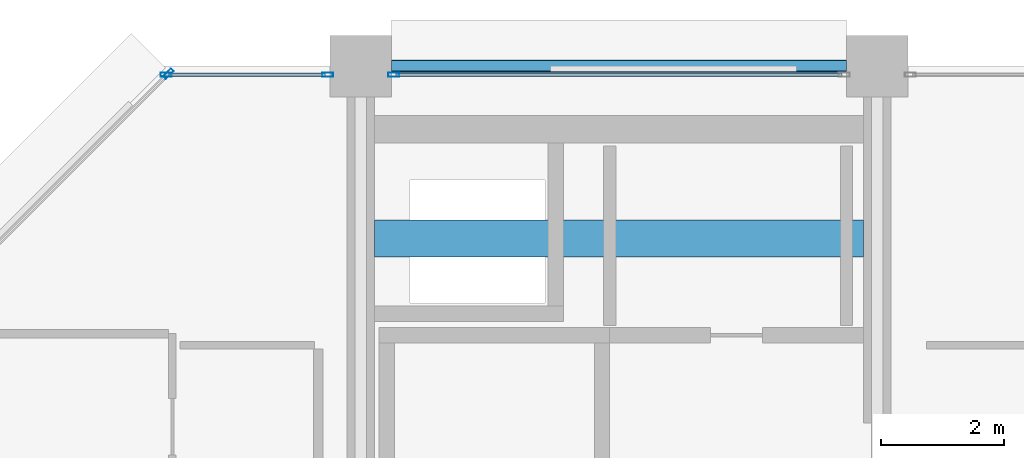
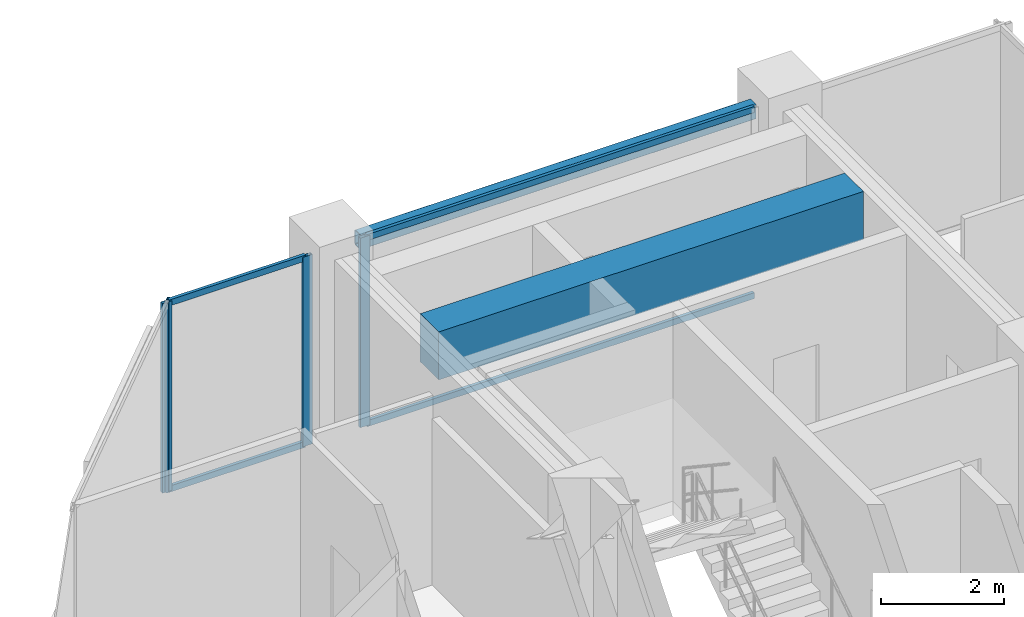
# One storey, part 17 of 26: 8 members, 2 beams, 3 elements without a shape of their own.
"""IFC4 building model written with IfcOpenShell, lengths in metres."""

from ifc_helpers import new_model, si_unit, direction, frame, origin, origin_2d, place, context, subcontext, project, spatial, rectangle, hollow_rectangle, extrude, material, layer, layer_set, material_profile, profile_set, type_object, element, aggregate, save


model = new_model("IFC4")

# Units and contexts
model_context = context("Model", 3, precision=1e-05, world=origin(), true_north=direction((0.0, 1.0)))
body_context = subcontext(model_context, "Body", "Model", "MODEL_VIEW")
ifc_project = project(units=[si_unit("LENGTHUNIT", "METRE"), si_unit("AREAUNIT", "SQUARE_METRE"), si_unit("VOLUMEUNIT", "CUBIC_METRE"), si_unit("PLANEANGLEUNIT", "RADIAN"), si_unit("MASSUNIT", "GRAM", prefix="KILO")], contexts=[model_context])

# Site, building, storey
site_placement = place(None, origin())
site = spatial("IfcSite", under=ifc_project, at=site_placement, CompositionType="ELEMENT")
building_placement = place(site_placement, origin())
building = spatial("IfcBuilding", under=site, at=building_placement, Name="Nerrivon Quay Data Exchange", CompositionType="ELEMENT")
storey_placement = place(building_placement, frame((0.0, 0.0, 241.10009765625)))
storey = spatial("IfcBuildingStorey", under=building, at=storey_placement, Name="L57", CompositionType="ELEMENT", Elevation=241.10009765625)

# Beams
ifc_material_1 = material(Name="Concrete N50 (50 MPa)", Category="concrete")
ifc_material_profile_1 = material_profile(ifc_material_1, rectangle(XDim=0.60009765625, YDim=0.949951171875, at=origin_2d()), Name="RC-CB-600x950")
ifc_profile_set_1 = profile_set([ifc_material_profile_1], Name="Concrete N50 (50 MPa)")
beam_type_1 = type_object("IfcBeamType", Name="BM-CB2-600x950", PredefinedType="LINTEL", material=ifc_profile_set_1)
beam_1_placement = place(storey_placement, frame((8.625, 39.199951171875, 3.27490234375), z_axis=(1.0, 0.0, 0.0), x_axis=(0.0, 1.0, 0.0)))
element("IfcBeam", 1, at=beam_1_placement, inside=storey, type_object=beam_type_1, Name="L57 West Core Coupling Beam", PredefinedType="LINTEL", context=body_context, shape_type="SweptSolid", body=[
    extrude(rectangle(XDim=0.60009765625, YDim=0.949951171875, at=origin_2d()), origin(), (0.0, 0.0, 1.0), 7.949951171875),
])
ifc_material_2 = material(Name="Steel Grade C350L0 (350 MPa)", Category="steel")
ifc_material_profile_2 = material_profile(ifc_material_2, hollow_rectangle(XDim=0.199951171875, YDim=0.300048828125, WallThickness=0.012451171875, InnerFilletRadius=0.018798828125, OuterFilletRadius=0.03125, at=origin_2d()), Name="300x200x12.5RHS")
ifc_profile_set_2 = profile_set([ifc_material_profile_2], Name="Steel Grade C350L0 (350 MPa)")
beam_type_2 = type_object("IfcBeamType", Name="BM-SP3-300x200RHS", PredefinedType="SPANDREL", material=ifc_profile_set_2)
beam_2_placement = place(storey_placement, frame((8.89990234375, 42.0, 3.599853515625), z_axis=(1.0, 0.0, 0.0), x_axis=(0.0, 1.0, 0.0)))
element("IfcBeam", 2, at=beam_2_placement, inside=storey, type_object=beam_type_2, Name="L57 EW Girder Y=42.0 (8.4..16.8)", PredefinedType="SPANDREL", context=body_context, shape_type="SweptSolid", body=[
    extrude(hollow_rectangle(XDim=0.199951171875, YDim=0.300048828125, WallThickness=0.012451171875, InnerFilletRadius=0.018798828125, OuterFilletRadius=0.03125, at=origin_2d()), origin(), (0.0, 0.0, 1.0), 7.400146484375),
])

# Curtain wall, member
ifc_material_3 = material(Name="Anodised aluminium 6063-T6", Category="aluminium")
ifc_layer = layer(ifc_material_3, 0.195068359375)
ifc_layer_set = layer_set([ifc_layer], Name="Anodised aluminium 6063-T6")
curtain_wall_type = type_object("IfcCurtainWallType", Name="CW-SYS-06", PredefinedType="NOTDEFINED", material=ifc_layer_set)
curtain_wall_1_placement = place(storey_placement, origin())
curtain_wall_1 = element("IfcCurtainWall", 3, at=curtain_wall_1_placement, inside=storey, type_object=curtain_wall_type, Name="L57 Unitised Curtain Wall 16", PredefinedType="NOTDEFINED")
ifc_material_profile_3 = material_profile(ifc_material_3, hollow_rectangle(XDim=0.06494140625, YDim=0.179931640625, WallThickness=0.00341796875, at=origin_2d()), Name="ALU-MULL-180x65")
ifc_profile_set_3 = profile_set([ifc_material_profile_3], Name="Anodised aluminium 6063-T6")
member_type_1 = type_object("IfcMemberType", Name="CWM-180x65", PredefinedType="MULLION", material=ifc_profile_set_3)
member_1_placement = place(storey_placement, frame((5.2724609375, 41.87451171875, 0.0), z_axis=(0.0, 0.0, 1.0), x_axis=(-0.707106781187, 0.707106781187, 0.0)))
member_1 = element("IfcMember", 4, at=member_1_placement, type_object=member_type_1, Name="CW06 mullion 2", PredefinedType="MULLION", context=body_context, shape_type="SweptSolid", body=[
    extrude(hollow_rectangle(XDim=0.06494140625, YDim=0.179931640625, WallThickness=0.00341796875, at=origin_2d()), origin(), (0.0, 0.0, 1.0), 3.75),
])
aggregate(curtain_wall_1, [member_1])

# Curtain wall, members
curtain_wall_2_placement = place(storey_placement, origin())
curtain_wall_2 = element("IfcCurtainWall", 5, at=curtain_wall_2_placement, inside=storey, type_object=curtain_wall_type, Name="L57 Unitised Curtain Wall 17", PredefinedType="NOTDEFINED")
member_2_placement = place(storey_placement, frame((5.237548828125, 41.860107421875, 0.0), z_axis=(0.0, 0.0, 1.0), x_axis=(0.0, 1.0, 0.0)))
member_2 = element("IfcMember", 6, at=member_2_placement, type_object=member_type_1, Name="CW06 mullion 1", PredefinedType="MULLION", context=body_context, shape_type="SweptSolid", body=[
    extrude(hollow_rectangle(XDim=0.06494140625, YDim=0.179931640625, WallThickness=0.00341796875, at=origin_2d()), origin(), (0.0, 0.0, 1.0), 3.75),
])
member_3_placement = place(storey_placement, frame((7.862548828125, 41.860107421875, 0.0), z_axis=(0.0, 0.0, 1.0), x_axis=(0.0, 1.0, 0.0)))
member_3 = element("IfcMember", 7, at=member_3_placement, type_object=member_type_1, Name="CW06 mullion 2", PredefinedType="MULLION", context=body_context, shape_type="SweptSolid", body=[
    extrude(hollow_rectangle(XDim=0.06494140625, YDim=0.179931640625, WallThickness=0.00341796875, at=origin_2d()), origin(), (0.0, 0.0, 1.0), 3.75),
])

# Curtain wall, member
curtain_wall_3_placement = place(storey_placement, origin())
curtain_wall_3 = element("IfcCurtainWall", 8, at=curtain_wall_3_placement, inside=storey, type_object=curtain_wall_type, Name="L57 Unitised Curtain Wall 18", PredefinedType="NOTDEFINED")
member_4_placement = place(storey_placement, frame((8.9375, 41.860107421875, 0.0), z_axis=(0.0, 0.0, 1.0), x_axis=(0.0, 1.0, 0.0)))
member_4 = element("IfcMember", 9, at=member_4_placement, type_object=member_type_1, Name="CW06 mullion 1", PredefinedType="MULLION", context=body_context, shape_type="SweptSolid", body=[
    extrude(hollow_rectangle(XDim=0.06494140625, YDim=0.179931640625, WallThickness=0.00341796875, at=origin_2d()), origin(), (0.0, 0.0, 1.0), 3.75),
])

# Member
ifc_material_profile_4 = material_profile(ifc_material_3, hollow_rectangle(XDim=0.06005859375, YDim=0.1201171875, WallThickness=0.003173828125, at=origin_2d()), Name="ALU-TRAN-120x60")
ifc_profile_set_4 = profile_set([ifc_material_profile_4], Name="Anodised aluminium 6063-T6")
member_type_2 = type_object("IfcMemberType", Name="CWT-120x60", PredefinedType="USERDEFINED", material=ifc_profile_set_4)
member_5_placement = place(storey_placement, frame((5.27490234375, 41.860107421875, 0.032470703125), z_axis=(1.0, 0.0, 0.0), x_axis=(0.0, 1.0, 0.0)))
member_5 = element("IfcMember", 10, at=member_5_placement, type_object=member_type_2, Name="CW06 transom 1.1", ObjectType="TRANSOM", PredefinedType="USERDEFINED", context=body_context, shape_type="SweptSolid", body=[
    extrude(hollow_rectangle(XDim=0.06005859375, YDim=0.1201171875, WallThickness=0.003173828125, at=origin_2d()), origin(), (0.0, 0.0, 1.0), 2.550048828125),
])

member_6_placement = place(storey_placement, frame((5.27490234375, 41.860107421875, 3.71728515625), z_axis=(1.0, 0.0, 0.0), x_axis=(0.0, 1.0, 0.0)))
member_6 = element("IfcMember", 11, at=member_6_placement, type_object=member_type_2, Name="CW06 transom 1.2", ObjectType="TRANSOM", PredefinedType="USERDEFINED", context=body_context, shape_type="SweptSolid", body=[
    extrude(hollow_rectangle(XDim=0.06005859375, YDim=0.1201171875, WallThickness=0.003173828125, at=origin_2d()), origin(), (0.0, 0.0, 1.0), 2.550048828125),
])

aggregate(curtain_wall_2, [member_2, member_3, member_5, member_6])

member_7_placement = place(storey_placement, frame((8.97509765625, 41.860107421875, 0.032470703125), z_axis=(1.0, 0.0, 0.0), x_axis=(0.0, 1.0, 0.0)))
member_7 = element("IfcMember", 12, at=member_7_placement, type_object=member_type_2, Name="CW06 transom 1.1", ObjectType="TRANSOM", PredefinedType="USERDEFINED", context=body_context, shape_type="SweptSolid", body=[
    extrude(hollow_rectangle(XDim=0.06005859375, YDim=0.1201171875, WallThickness=0.003173828125, at=origin_2d()), origin(), (0.0, 0.0, 1.0), 7.25),
])

member_8_placement = place(storey_placement, frame((8.97509765625, 41.860107421875, 3.71728515625), z_axis=(1.0, 0.0, 0.0), x_axis=(0.0, 1.0, 0.0)))
member_8 = element("IfcMember", 13, at=member_8_placement, type_object=member_type_2, Name="CW06 transom 1.2", ObjectType="TRANSOM", PredefinedType="USERDEFINED", context=body_context, shape_type="SweptSolid", body=[
    extrude(hollow_rectangle(XDim=0.06005859375, YDim=0.1201171875, WallThickness=0.003173828125, at=origin_2d()), origin(), (0.0, 0.0, 1.0), 7.25),
])

aggregate(curtain_wall_3, [member_4, member_7, member_8])

save(model, "model.ifc")
